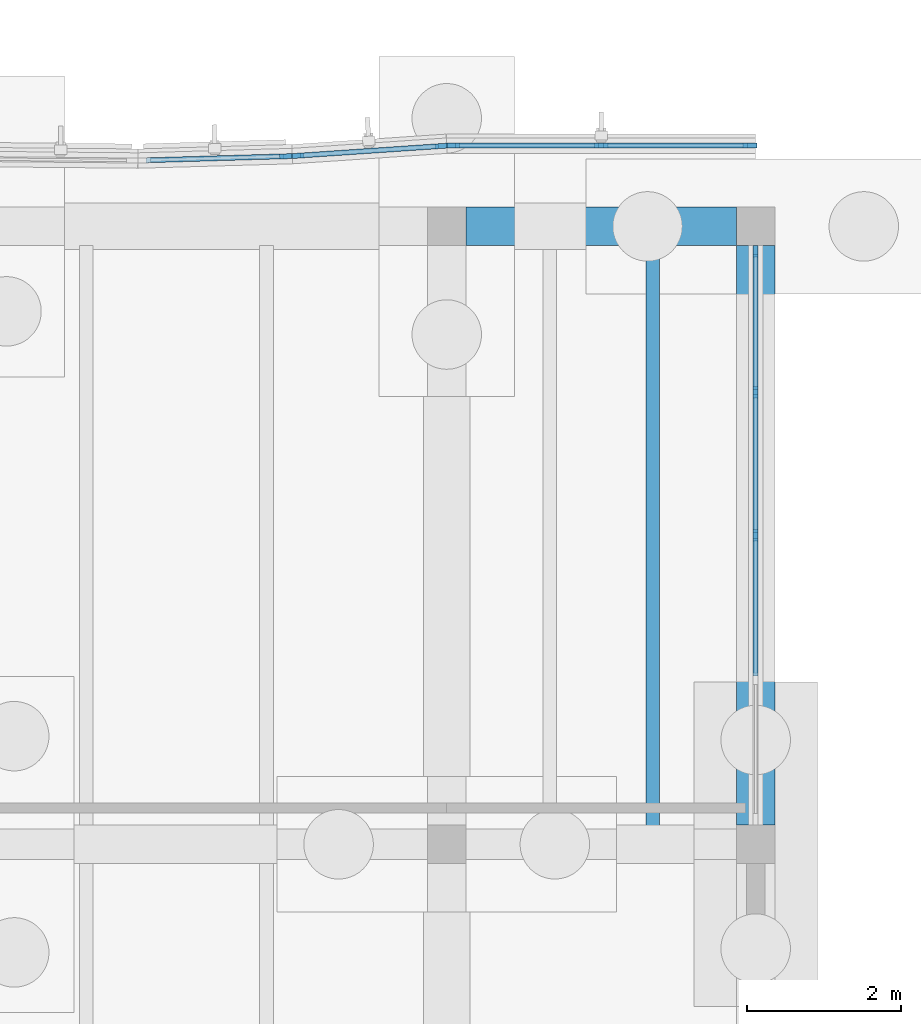
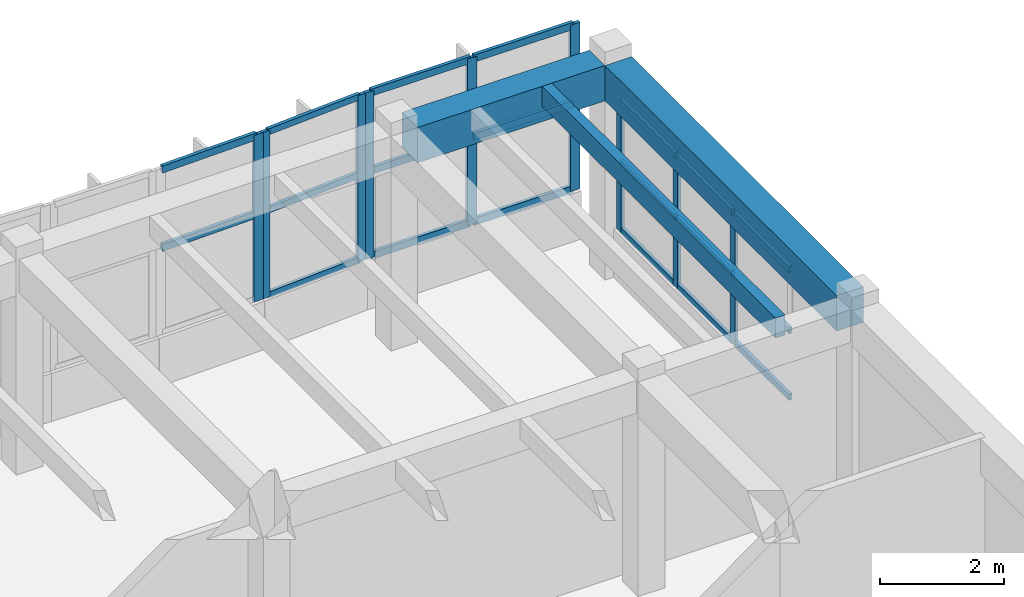
# One storey, part 49 of 99: 29 members, 3 beams, 4 elements without a shape of their own.
"""IFC4 building model written with IfcOpenShell, lengths in metres."""

from ifc_helpers import new_model, si_unit, direction, frame, origin, origin_2d, place, context, subcontext, project, spatial, rectangle, extrude, material, layer, layer_set, material_profile, profile_set, type_object, element, aggregate, save


model = new_model("IFC4")

# Units and contexts
model_context = context("Model", 3, precision=1e-05, world=origin(), true_north=direction((0.0, 1.0)))
body_context = subcontext(model_context, "Body", "Model", "MODEL_VIEW")
ifc_project = project(units=[si_unit("LENGTHUNIT", "METRE"), si_unit("AREAUNIT", "SQUARE_METRE"), si_unit("VOLUMEUNIT", "CUBIC_METRE"), si_unit("PLANEANGLEUNIT", "RADIAN"), si_unit("MASSUNIT", "GRAM", prefix="KILO")], contexts=[model_context])

# Site, building, storey
site_placement = place(None, origin())
site = spatial("IfcSite", under=ifc_project, at=site_placement, CompositionType="ELEMENT")
building_placement = place(site_placement, origin())
building = spatial("IfcBuilding", under=site, at=building_placement, Name="Tonlespit Floodbar School", CompositionType="ELEMENT")
storey_placement = place(building_placement, origin())
storey = spatial("IfcBuildingStorey", under=building, at=storey_placement, Name="L00", CompositionType="ELEMENT", Elevation=0.0)

# Curtain wall, members
ifc_material_1 = material(Name="Anodised Aluminium", Category="aluminium")
ifc_layer_1 = layer(ifc_material_1, 0.159912109375)
ifc_layer_set_1 = layer_set([ifc_layer_1], Name="Anodised Aluminium")
curtain_wall_type_1 = type_object("IfcCurtainWallType", Name="CurtainWall_1900x3300", PredefinedType="NOTDEFINED", material=ifc_layer_set_1)
curtain_wall_1_placement = place(storey_placement, origin())
curtain_wall_1 = element("IfcCurtainWall", 1, at=curtain_wall_1_placement, inside=storey, type_object=curtain_wall_type_1, Name="L00 unitised curtain wall 0368", PredefinedType="NOTDEFINED")
ifc_material_profile_1 = material_profile(ifc_material_1, rectangle(XDim=0.06494140625, YDim=0.14990234375, at=origin_2d()), Name="ALU M65x150")
ifc_profile_set_1 = profile_set([ifc_material_profile_1], Name="Anodised Aluminium")
member_type_1 = type_object("IfcMemberType", Name="CW_Mullion_65x150", PredefinedType="MULLION", material=ifc_profile_set_1)
member_1_placement = place(storey_placement, frame((174.072265625, 120.91552734375, 0.949951171875), z_axis=(0.0, 0.0, 1.0), x_axis=(-0.067339767311, 0.99773010165, 0.0)))
member_1 = element("IfcMember", 2, at=member_1_placement, type_object=member_type_1, Name="CW-02 mullion 1", PredefinedType="MULLION", context=body_context, shape_type="SweptSolid", body=[
    extrude(rectangle(XDim=0.06494140625, YDim=0.14990234375, at=origin_2d()), origin(), (0.0, 0.0, 1.0), 3.2900390625),
])
member_2_placement = place(storey_placement, frame((175.927734375, 121.040771484375, 0.949951171875), z_axis=(0.0, 0.0, 1.0), x_axis=(-0.067339767311, 0.99773010165, 0.0)))
member_2 = element("IfcMember", 3, at=member_2_placement, type_object=member_type_1, Name="CW-02 mullion 2", PredefinedType="MULLION", context=body_context, shape_type="SweptSolid", body=[
    extrude(rectangle(XDim=0.06494140625, YDim=0.14990234375, at=origin_2d()), origin(), (0.0, 0.0, 1.0), 3.2900390625),
])

ifc_layer_2 = layer(ifc_material_1, 0.159912109375)
ifc_layer_set_2 = layer_set([ifc_layer_2], Name="Anodised Aluminium")
curtain_wall_type_2 = type_object("IfcCurtainWallType", Name="CurtainWall_7400x2600", PredefinedType="NOTDEFINED", material=ifc_layer_set_2)
curtain_wall_2_placement = place(storey_placement, origin())
curtain_wall_2 = element("IfcCurtainWall", 4, at=curtain_wall_2_placement, inside=storey, type_object=curtain_wall_type_2, Name="L00 unitised curtain wall 0370", PredefinedType="NOTDEFINED")
member_3_placement = place(storey_placement, frame((180.0, 119.677490234375, 0.949951171875), z_axis=(0.0, 0.0, 1.0), x_axis=(1.0, 0.0, 0.0)))
member_3 = element("IfcMember", 5, at=member_3_placement, type_object=member_type_1, Name="CW-52 mullion 1", PredefinedType="MULLION", context=body_context, shape_type="SweptSolid", body=[
    extrude(rectangle(XDim=0.06494140625, YDim=0.14990234375, at=origin_2d()), origin(), (0.0, 0.0, 1.0), 2.590087890625),
])
member_4_placement = place(storey_placement, frame((180.0, 117.85498046875, 0.949951171875), z_axis=(0.0, 0.0, 1.0), x_axis=(1.0, 0.0, 0.0)))
member_4 = element("IfcMember", 6, at=member_4_placement, type_object=member_type_1, Name="CW-52 mullion 2", PredefinedType="MULLION", context=body_context, shape_type="SweptSolid", body=[
    extrude(rectangle(XDim=0.06494140625, YDim=0.14990234375, at=origin_2d()), origin(), (0.0, 0.0, 1.0), 2.590087890625),
])
member_5_placement = place(storey_placement, frame((180.0, 116.0, 0.949951171875), z_axis=(0.0, 0.0, 1.0), x_axis=(1.0, 0.0, 0.0)))
member_5 = element("IfcMember", 7, at=member_5_placement, type_object=member_type_1, Name="CW-52 mullion 3", PredefinedType="MULLION", context=body_context, shape_type="SweptSolid", body=[
    extrude(rectangle(XDim=0.06494140625, YDim=0.14990234375, at=origin_2d()), origin(), (0.0, 0.0, 1.0), 2.590087890625),
])

# Curtain wall, member
curtain_wall_3_placement = place(storey_placement, origin())
curtain_wall_3 = element("IfcCurtainWall", 8, at=curtain_wall_3_placement, inside=storey, type_object=curtain_wall_type_1, Name="L00 unitised curtain wall 0367", PredefinedType="NOTDEFINED")
ifc_material_profile_2 = material_profile(ifc_material_1, rectangle(XDim=0.06494140625, YDim=0.179931640625, at=origin_2d()), Name="ALU M65x180")
ifc_profile_set_2 = profile_set([ifc_material_profile_2], Name="Anodised Aluminium")
member_type_2 = type_object("IfcMemberType", Name="CW_Mullion_65x180", PredefinedType="MULLION", material=ifc_profile_set_2)
member_6_placement = place(storey_placement, frame((173.927490234375, 120.908447265625, 0.949951171875), z_axis=(0.0, 0.0, 1.0), x_axis=(-0.028790144226, 0.999585477883, 0.0)))
member_6 = element("IfcMember", 9, at=member_6_placement, type_object=member_type_2, Name="CW-02 mullion 2", PredefinedType="MULLION", context=body_context, shape_type="SweptSolid", body=[
    extrude(rectangle(XDim=0.06494140625, YDim=0.179931640625, at=origin_2d()), origin(), (0.0, 0.0, 1.0), 3.2900390625),
])

# Curtain wall, members
ifc_layer_3 = layer(ifc_material_1, 0.159912109375)
ifc_layer_set_3 = layer_set([ifc_layer_3], Name="Anodised Aluminium")
curtain_wall_type_3 = type_object("IfcCurtainWallType", Name="CurtainWall_3900x3300", PredefinedType="NOTDEFINED", material=ifc_layer_set_3)
curtain_wall_4_placement = place(storey_placement, origin())
curtain_wall_4 = element("IfcCurtainWall", 10, at=curtain_wall_4_placement, inside=storey, type_object=curtain_wall_type_3, Name="L00 unitised curtain wall 0369", PredefinedType="NOTDEFINED")
member_7_placement = place(storey_placement, frame((176.072509765625, 121.045654296875, 0.949951171875), z_axis=(0.0, 0.0, 1.0), x_axis=(0.0, 1.0, 0.0)))
member_7 = element("IfcMember", 11, at=member_7_placement, type_object=member_type_2, Name="CW-58 mullion 1", PredefinedType="MULLION", context=body_context, shape_type="SweptSolid", body=[
    extrude(rectangle(XDim=0.06494140625, YDim=0.179931640625, at=origin_2d()), origin(), (0.0, 0.0, 1.0), 3.2900390625),
])
member_8_placement = place(storey_placement, frame((178.0, 121.045654296875, 0.949951171875), z_axis=(0.0, 0.0, 1.0), x_axis=(0.0, 1.0, 0.0)))
member_8 = element("IfcMember", 12, at=member_8_placement, type_object=member_type_2, Name="CW-58 mullion 2", PredefinedType="MULLION", context=body_context, shape_type="SweptSolid", body=[
    extrude(rectangle(XDim=0.06494140625, YDim=0.179931640625, at=origin_2d()), origin(), (0.0, 0.0, 1.0), 3.2900390625),
])
member_9_placement = place(storey_placement, frame((179.927490234375, 121.045654296875, 0.949951171875), z_axis=(0.0, 0.0, 1.0), x_axis=(0.0, 1.0, 0.0)))
member_9 = element("IfcMember", 13, at=member_9_placement, type_object=member_type_2, Name="CW-58 mullion 3", PredefinedType="MULLION", context=body_context, shape_type="SweptSolid", body=[
    extrude(rectangle(XDim=0.06494140625, YDim=0.179931640625, at=origin_2d()), origin(), (0.0, 0.0, 1.0), 3.2900390625),
])

# Member
ifc_material_profile_3 = material_profile(ifc_material_1, rectangle(XDim=0.06494140625, YDim=0.1201171875, at=origin_2d()), Name="ALU T65x120")
ifc_profile_set_3 = profile_set([ifc_material_profile_3], Name="Anodised Aluminium")
member_type_3 = type_object("IfcMemberType", Name="CW_Transom_65x120", PredefinedType="USERDEFINED", material=ifc_profile_set_3)
member_10_placement = place(storey_placement, frame((174.104736328125, 120.917724609375, 0.982421875), z_axis=(0.997730041674, 0.067340655935, 0.0), x_axis=(-0.067340655935, 0.997730041674, 0.0)))
member_10 = element("IfcMember", 14, at=member_10_placement, type_object=member_type_3, Name="CW-02 transom 1.1", ObjectType="TRANSOM", PredefinedType="USERDEFINED", context=body_context, shape_type="SweptSolid", body=[
    extrude(rectangle(XDim=0.06494140625, YDim=0.1201171875, at=origin_2d()), origin(), (0.0, 0.0, 1.0), 1.794677734375),
])

member_11_placement = place(storey_placement, frame((174.104736328125, 120.917724609375, 2.660888671875), z_axis=(0.997730041674, 0.067340655935, 0.0), x_axis=(-0.067340655935, 0.997730041674, 0.0)))
member_11 = element("IfcMember", 15, at=member_11_placement, type_object=member_type_3, Name="CW-02 transom 1.2", ObjectType="TRANSOM", PredefinedType="USERDEFINED", context=body_context, shape_type="SweptSolid", body=[
    extrude(rectangle(XDim=0.06494140625, YDim=0.1201171875, at=origin_2d()), origin(), (0.0, 0.0, 1.0), 1.794677734375),
])

member_12_placement = place(storey_placement, frame((174.104736328125, 120.917724609375, 4.20751953125), z_axis=(0.997730041674, 0.067340655935, 0.0), x_axis=(-0.067340655935, 0.997730041674, 0.0)))
member_12 = element("IfcMember", 16, at=member_12_placement, type_object=member_type_3, Name="CW-02 transom 1.3", ObjectType="TRANSOM", PredefinedType="USERDEFINED", context=body_context, shape_type="SweptSolid", body=[
    extrude(rectangle(XDim=0.06494140625, YDim=0.1201171875, at=origin_2d()), origin(), (0.0, 0.0, 1.0), 1.794677734375),
])

aggregate(curtain_wall_1, [member_1, member_2, member_10, member_11, member_12])

member_13_placement = place(storey_placement, frame((180.0, 119.64501953125, 0.982421875), z_axis=(0.0, -1.0, 0.0), x_axis=(1.0, 0.0, 0.0)))
member_13 = element("IfcMember", 17, at=member_13_placement, type_object=member_type_3, Name="CW-52 transom 1.1", ObjectType="TRANSOM", PredefinedType="USERDEFINED", context=body_context, shape_type="SweptSolid", body=[
    extrude(rectangle(XDim=0.06494140625, YDim=0.1201171875, at=origin_2d()), origin(), (0.0, 0.0, 1.0), 1.757568359375),
])

member_14_placement = place(storey_placement, frame((180.0, 119.64501953125, 2.296875), z_axis=(0.0, -1.0, 0.0), x_axis=(1.0, 0.0, 0.0)))
member_14 = element("IfcMember", 18, at=member_14_placement, type_object=member_type_3, Name="CW-52 transom 1.2", ObjectType="TRANSOM", PredefinedType="USERDEFINED", context=body_context, shape_type="SweptSolid", body=[
    extrude(rectangle(XDim=0.06494140625, YDim=0.1201171875, at=origin_2d()), origin(), (0.0, 0.0, 1.0), 1.757568359375),
])

member_15_placement = place(storey_placement, frame((180.0, 119.64501953125, 3.507568359375), z_axis=(0.0, -1.0, 0.0), x_axis=(1.0, 0.0, 0.0)))
member_15 = element("IfcMember", 19, at=member_15_placement, type_object=member_type_3, Name="CW-52 transom 1.3", ObjectType="TRANSOM", PredefinedType="USERDEFINED", context=body_context, shape_type="SweptSolid", body=[
    extrude(rectangle(XDim=0.06494140625, YDim=0.1201171875, at=origin_2d()), origin(), (0.0, 0.0, 1.0), 1.757568359375),
])

member_16_placement = place(storey_placement, frame((180.0, 117.822509765625, 0.982421875), z_axis=(0.0, -1.0, 0.0), x_axis=(1.0, 0.0, 0.0)))
member_16 = element("IfcMember", 20, at=member_16_placement, type_object=member_type_3, Name="CW-52 transom 2.1", ObjectType="TRANSOM", PredefinedType="USERDEFINED", context=body_context, shape_type="SweptSolid", body=[
    extrude(rectangle(XDim=0.06494140625, YDim=0.1201171875, at=origin_2d()), origin(), (0.0, 0.0, 1.0), 1.7900390625),
])

member_17_placement = place(storey_placement, frame((180.0, 117.822509765625, 2.296875), z_axis=(0.0, -1.0, 0.0), x_axis=(1.0, 0.0, 0.0)))
member_17 = element("IfcMember", 21, at=member_17_placement, type_object=member_type_3, Name="CW-52 transom 2.2", ObjectType="TRANSOM", PredefinedType="USERDEFINED", context=body_context, shape_type="SweptSolid", body=[
    extrude(rectangle(XDim=0.06494140625, YDim=0.1201171875, at=origin_2d()), origin(), (0.0, 0.0, 1.0), 1.7900390625),
])

member_18_placement = place(storey_placement, frame((180.0, 117.822509765625, 3.507568359375), z_axis=(0.0, -1.0, 0.0), x_axis=(1.0, 0.0, 0.0)))
member_18 = element("IfcMember", 22, at=member_18_placement, type_object=member_type_3, Name="CW-52 transom 2.3", ObjectType="TRANSOM", PredefinedType="USERDEFINED", context=body_context, shape_type="SweptSolid", body=[
    extrude(rectangle(XDim=0.06494140625, YDim=0.1201171875, at=origin_2d()), origin(), (0.0, 0.0, 1.0), 1.7900390625),
])

member_19_placement = place(storey_placement, frame((180.0, 115.967529296875, 0.982421875), z_axis=(0.0, -1.0, 0.0), x_axis=(1.0, 0.0, 0.0)))
member_19 = element("IfcMember", 23, at=member_19_placement, type_object=member_type_3, Name="CW-52 transom 3.1", ObjectType="TRANSOM", PredefinedType="USERDEFINED", context=body_context, shape_type="SweptSolid", body=[
    extrude(rectangle(XDim=0.06494140625, YDim=0.1201171875, at=origin_2d()), origin(), (0.0, 0.0, 1.0), 1.7900390625),
])

member_20_placement = place(storey_placement, frame((180.0, 115.967529296875, 2.296875), z_axis=(0.0, -1.0, 0.0), x_axis=(1.0, 0.0, 0.0)))
member_20 = element("IfcMember", 24, at=member_20_placement, type_object=member_type_3, Name="CW-52 transom 3.2", ObjectType="TRANSOM", PredefinedType="USERDEFINED", context=body_context, shape_type="SweptSolid", body=[
    extrude(rectangle(XDim=0.06494140625, YDim=0.1201171875, at=origin_2d()), origin(), (0.0, 0.0, 1.0), 1.7900390625),
])

member_21_placement = place(storey_placement, frame((180.0, 115.967529296875, 3.507568359375), z_axis=(0.0, -1.0, 0.0), x_axis=(1.0, 0.0, 0.0)))
member_21 = element("IfcMember", 25, at=member_21_placement, type_object=member_type_3, Name="CW-52 transom 3.3", ObjectType="TRANSOM", PredefinedType="USERDEFINED", context=body_context, shape_type="SweptSolid", body=[
    extrude(rectangle(XDim=0.06494140625, YDim=0.1201171875, at=origin_2d()), origin(), (0.0, 0.0, 1.0), 1.7900390625),
])

aggregate(curtain_wall_2, [member_3, member_4, member_5, member_13, member_14, member_15, member_16, member_17, member_18, member_19, member_20, member_21])

ifc_material_profile_4 = material_profile(ifc_material_1, rectangle(XDim=0.06494140625, YDim=0.139892578125, at=origin_2d()), Name="ALU T65x140")
ifc_profile_set_4 = profile_set([ifc_material_profile_4], Name="Anodised Aluminium")
member_type_4 = type_object("IfcMemberType", Name="CW_Transom_65x140", PredefinedType="USERDEFINED", material=ifc_profile_set_4)
member_22_placement = place(storey_placement, frame((172.10498046875, 120.85595703125, 2.660888671875), z_axis=(0.999582242166, 0.028902268868, 0.0), x_axis=(-0.028902268868, 0.999582242166, 0.0)))
member_22 = element("IfcMember", 26, at=member_22_placement, type_object=member_type_4, Name="CW-02 transom 1.2", ObjectType="TRANSOM", PredefinedType="USERDEFINED", context=body_context, shape_type="SweptSolid", body=[
    extrude(rectangle(XDim=0.06494140625, YDim=0.139892578125, at=origin_2d()), origin(), (0.0, 0.0, 1.0), 1.790771484375),
])

member_23_placement = place(storey_placement, frame((172.10498046875, 120.85595703125, 4.20751953125), z_axis=(0.999582242166, 0.028902268868, 0.0), x_axis=(-0.028902268868, 0.999582242166, 0.0)))
member_23 = element("IfcMember", 27, at=member_23_placement, type_object=member_type_4, Name="CW-02 transom 1.3", ObjectType="TRANSOM", PredefinedType="USERDEFINED", context=body_context, shape_type="SweptSolid", body=[
    extrude(rectangle(XDim=0.06494140625, YDim=0.139892578125, at=origin_2d()), origin(), (0.0, 0.0, 1.0), 1.790771484375),
])

aggregate(curtain_wall_3, [member_6, member_22, member_23])

member_24_placement = place(storey_placement, frame((176.10498046875, 121.045654296875, 0.982421875), z_axis=(1.0, 0.0, 0.0), x_axis=(0.0, 1.0, 0.0)))
member_24 = element("IfcMember", 28, at=member_24_placement, type_object=member_type_4, Name="CW-58 transom 1.1", ObjectType="TRANSOM", PredefinedType="USERDEFINED", context=body_context, shape_type="SweptSolid", body=[
    extrude(rectangle(XDim=0.06494140625, YDim=0.139892578125, at=origin_2d()), origin(), (0.0, 0.0, 1.0), 1.862548828125),
])

member_25_placement = place(storey_placement, frame((176.10498046875, 121.045654296875, 2.660888671875), z_axis=(1.0, 0.0, 0.0), x_axis=(0.0, 1.0, 0.0)))
member_25 = element("IfcMember", 29, at=member_25_placement, type_object=member_type_4, Name="CW-58 transom 1.2", ObjectType="TRANSOM", PredefinedType="USERDEFINED", context=body_context, shape_type="SweptSolid", body=[
    extrude(rectangle(XDim=0.06494140625, YDim=0.139892578125, at=origin_2d()), origin(), (0.0, 0.0, 1.0), 1.862548828125),
])

member_26_placement = place(storey_placement, frame((176.10498046875, 121.045654296875, 4.20751953125), z_axis=(1.0, 0.0, 0.0), x_axis=(0.0, 1.0, 0.0)))
member_26 = element("IfcMember", 30, at=member_26_placement, type_object=member_type_4, Name="CW-58 transom 1.3", ObjectType="TRANSOM", PredefinedType="USERDEFINED", context=body_context, shape_type="SweptSolid", body=[
    extrude(rectangle(XDim=0.06494140625, YDim=0.139892578125, at=origin_2d()), origin(), (0.0, 0.0, 1.0), 1.862548828125),
])

member_27_placement = place(storey_placement, frame((178.032470703125, 121.045654296875, 0.982421875), z_axis=(1.0, 0.0, 0.0), x_axis=(0.0, 1.0, 0.0)))
member_27 = element("IfcMember", 31, at=member_27_placement, type_object=member_type_4, Name="CW-58 transom 2.1", ObjectType="TRANSOM", PredefinedType="USERDEFINED", context=body_context, shape_type="SweptSolid", body=[
    extrude(rectangle(XDim=0.06494140625, YDim=0.139892578125, at=origin_2d()), origin(), (0.0, 0.0, 1.0), 1.862548828125),
])

member_28_placement = place(storey_placement, frame((178.032470703125, 121.045654296875, 2.660888671875), z_axis=(1.0, 0.0, 0.0), x_axis=(0.0, 1.0, 0.0)))
member_28 = element("IfcMember", 32, at=member_28_placement, type_object=member_type_4, Name="CW-58 transom 2.2", ObjectType="TRANSOM", PredefinedType="USERDEFINED", context=body_context, shape_type="SweptSolid", body=[
    extrude(rectangle(XDim=0.06494140625, YDim=0.139892578125, at=origin_2d()), origin(), (0.0, 0.0, 1.0), 1.862548828125),
])

member_29_placement = place(storey_placement, frame((178.032470703125, 121.045654296875, 4.20751953125), z_axis=(1.0, 0.0, 0.0), x_axis=(0.0, 1.0, 0.0)))
member_29 = element("IfcMember", 33, at=member_29_placement, type_object=member_type_4, Name="CW-58 transom 2.3", ObjectType="TRANSOM", PredefinedType="USERDEFINED", context=body_context, shape_type="SweptSolid", body=[
    extrude(rectangle(XDim=0.06494140625, YDim=0.139892578125, at=origin_2d()), origin(), (0.0, 0.0, 1.0), 1.862548828125),
])

aggregate(curtain_wall_4, [member_7, member_8, member_9, member_24, member_25, member_26, member_27, member_28, member_29])

# Beams
ifc_material_2 = material(Name="Glulam GL28h", Category="wood")
ifc_material_profile_5 = material_profile(ifc_material_2, rectangle(XDim=0.179931640625, YDim=0.39990234375, at=origin_2d()), Name="GL 180x400")
ifc_profile_set_5 = profile_set([ifc_material_profile_5], Name="Glulam GL28h")
beam_type_1 = type_object("IfcBeamType", Name="Joist_GL_180x400", PredefinedType="JOIST", material=ifc_profile_set_5)
beam_1_placement = place(storey_placement, frame((178.666748046875, 112.199951171875, 4.0400390625), z_axis=(0.0, 1.0, 0.0), x_axis=(-1.0, 0.0, 0.0)))
element("IfcBeam", 34, at=beam_1_placement, inside=storey, type_object=beam_type_1, Name="L00 secondary joist 0544", PredefinedType="JOIST", context=body_context, shape_type="SweptSolid", body=[
    extrude(rectangle(XDim=0.179931640625, YDim=0.39990234375, at=origin_2d()), origin(), (0.0, 0.0, 1.0), 7.550048828125),
])
ifc_material_3 = material(Name="Concrete C40/50", Category="concrete")
ifc_material_profile_6 = material_profile(ifc_material_3, rectangle(XDim=0.5, YDim=0.699951171875, at=origin_2d()), Name="RC 500x700")
ifc_profile_set_6 = profile_set([ifc_material_profile_6], Name="Concrete C40/50")
beam_type_2 = type_object("IfcBeamType", Name="Spandrel_RC_500x700", PredefinedType="SPANDREL", material=ifc_profile_set_6)
beam_2_placement = place(storey_placement, frame((176.25, 120.0, 3.889892578125), z_axis=(1.0, 0.0, 0.0), x_axis=(0.0, 1.0, 0.0)))
element("IfcBeam", 35, at=beam_2_placement, inside=storey, type_object=beam_type_2, Name="L00 girder 0167", PredefinedType="SPANDREL", context=body_context, shape_type="SweptSolid", body=[
    extrude(rectangle(XDim=0.5, YDim=0.699951171875, at=origin_2d()), origin(), (0.0, 0.0, 1.0), 3.5),
])
beam_3_placement = place(storey_placement, frame((180.0, 112.25, 3.889892578125), z_axis=(0.0, 1.0, 0.0), x_axis=(-1.0, 0.0, 0.0)))
element("IfcBeam", 36, at=beam_3_placement, inside=storey, type_object=beam_type_2, Name="L00 girder 0329", PredefinedType="SPANDREL", context=body_context, shape_type="SweptSolid", body=[
    extrude(rectangle(XDim=0.5, YDim=0.699951171875, at=origin_2d()), origin(), (0.0, 0.0, 1.0), 7.5),
])

save(model, "model.ifc")
